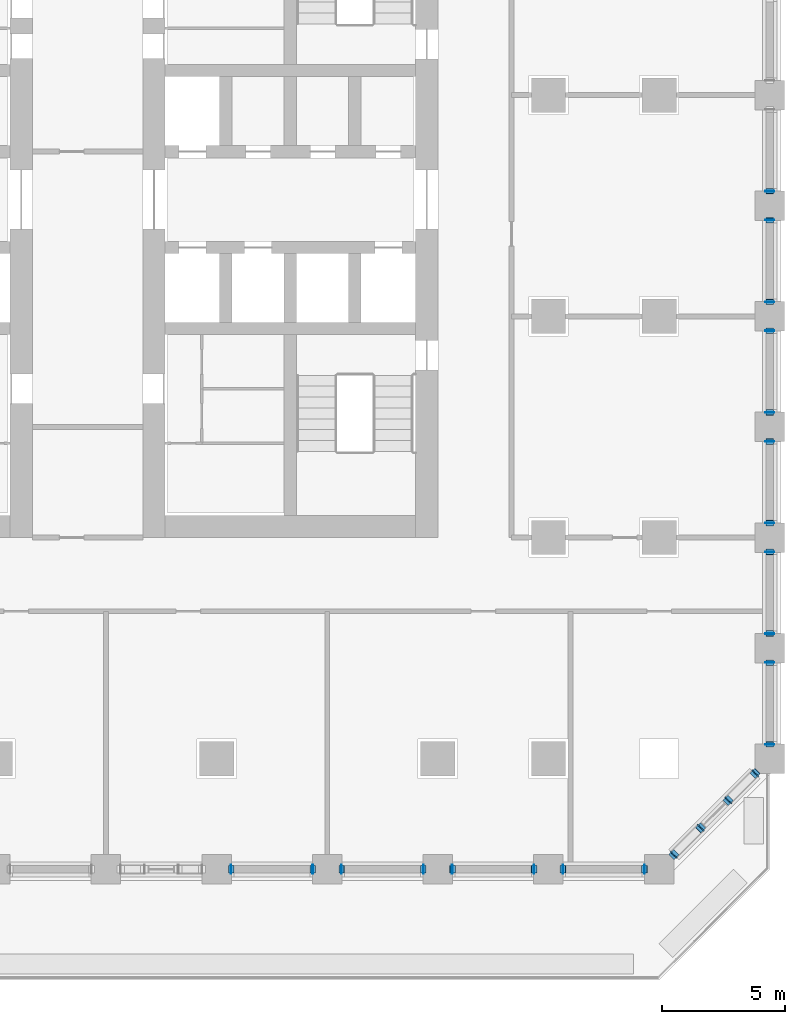
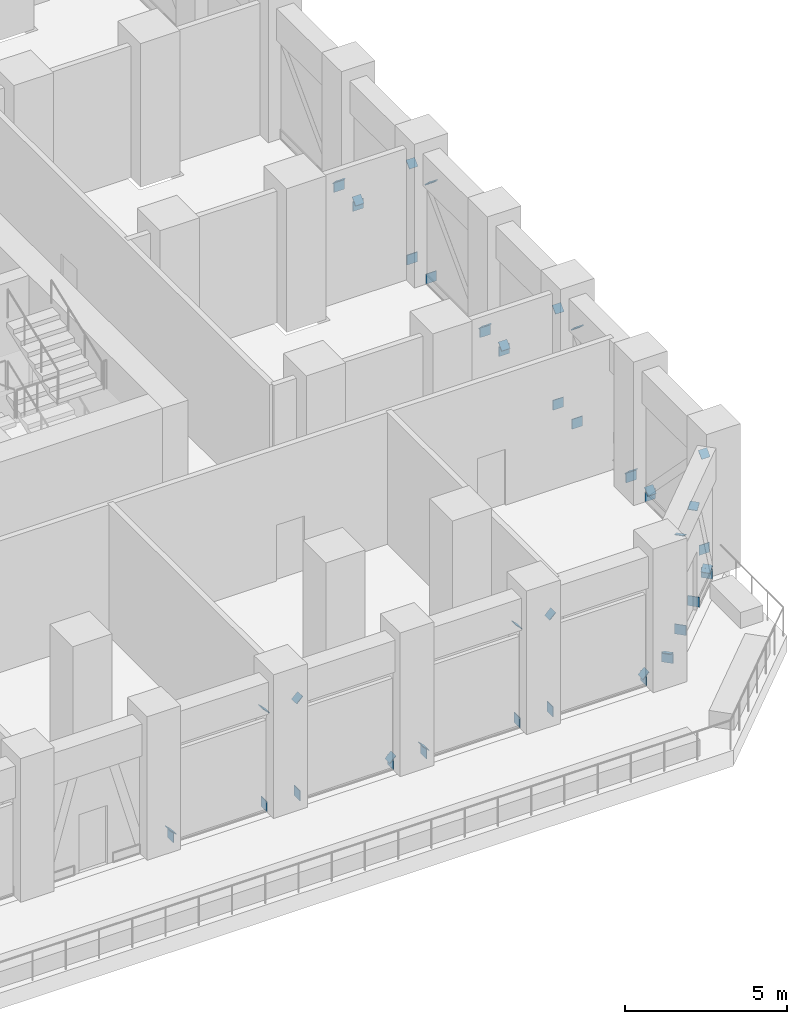
# One storey, part 10 of 20: 46 discrete accessories.
"""IFC4 building model written with IfcOpenShell, lengths in metres."""

import ifcopenshell
import ifcopenshell.guid

model = None  # the IFC model being written
_history = None  # IfcOwnerHistory: only IFC2X3 demands one
_inside = {}  # id of a spatial element -> (the spatial element, [elements in it])
_under = {}  # id of a project, library or spatial element -> (it, [spatial elements below it])
_declared = {}  # id of a project -> (the project, [libraries it declares])
_typed = {}  # id of a type object -> (the type object, [elements of that type])
_made_of = {}  # id of a material, layer set ... -> (it, [elements and type objects made of it])


def new_model(schema):
    """Start an empty IFC model of exactly this schema.

    Asked for "IFC4X3", IfcOpenShell would pick the latest addendum, in which some entities
    have other attributes; the version numbers below select the first issue.
    IFC2X3 requires an IfcOwnerHistory on every rooted entity: one is made here for all.
    """
    global model, _history
    if schema == "IFC4X3":
        model = ifcopenshell.file(schema_version=(4, 3, 0, 0))
    else:
        model = ifcopenshell.file(schema=schema)
    _inside.clear()
    _under.clear()
    _declared.clear()
    _typed.clear()
    _made_of.clear()
    _history = None
    if model.schema == "IFC2X3":
        org = make("IfcOrganization", Name="unknown")
        user = make(
            "IfcPersonAndOrganization",
            ThePerson=make("IfcPerson", FamilyName="unknown"),
            TheOrganization=org,
        )
        app = make(
            "IfcApplication",
            ApplicationDeveloper=org,
            Version="unknown",
            ApplicationFullName="unknown",
            ApplicationIdentifier="unknown",
        )
        _history = make(
            "IfcOwnerHistory",
            OwningUser=user,
            OwningApplication=app,
            ChangeAction="ADDED",
            CreationDate=0,
        )
    return model


def make(cls, **values):
    """One entity of the class cls with the attributes given. An attribute that is None is left unset."""
    return model.create_entity(
        cls, **{name: value for name, value in values.items() if value is not None}
    )


def rooted(cls, **values):
    """An entity with a GlobalId (a new one), such as an element, a storey or a relation."""
    return make(cls, GlobalId=ifcopenshell.guid.new(), OwnerHistory=_history, **values)


def si_unit(unit_type, name, prefix=None):
    """IfcSIUnit, for example si_unit("LENGTHUNIT", "METRE", prefix="MILLI")."""
    return make("IfcSIUnit", UnitType=unit_type, Prefix=prefix, Name=name)


def assignment(units):
    """IfcUnitAssignment: the units of a project."""
    return None if units is None else make("IfcUnitAssignment", Units=units)


def point(xyz):
    """IfcCartesianPoint."""
    return None if xyz is None else make("IfcCartesianPoint", Coordinates=xyz)


def direction(xyz):
    """IfcDirection."""
    return None if xyz is None else make("IfcDirection", DirectionRatios=xyz)


def frame(location, z_axis=None, x_axis=None):
    """IfcAxis2Placement3D, a coordinate frame: its origin and axes. An axis left out is left unset."""
    return make(
        "IfcAxis2Placement3D",
        Location=point(location),
        Axis=direction(z_axis),
        RefDirection=direction(x_axis),
    )


def frame_2d(location, x_axis=None):
    """IfcAxis2Placement2D, a coordinate frame in the plane: its origin and x axis."""
    return make(
        "IfcAxis2Placement2D", Location=point(location), RefDirection=direction(x_axis)
    )


def origin():
    """The frame at (0, 0, 0) with its axes left unset."""
    return frame((0.0, 0.0, 0.0))


def origin_2d():
    """The frame at (0, 0) in the plane with its x axis left unset."""
    return frame_2d((0.0, 0.0))


def place(relative_to, where):
    """IfcLocalPlacement: puts the frame where relative to a parent placement (None: the world)."""
    return make(
        "IfcLocalPlacement", PlacementRelTo=relative_to, RelativePlacement=where
    )


def context(
    kind, dimensions, precision=None, world=None, true_north=None, identifier=None
):
    """IfcGeometricRepresentationContext, for example the 3D "Model" context."""
    return make(
        "IfcGeometricRepresentationContext",
        ContextIdentifier=identifier,
        ContextType=kind,
        CoordinateSpaceDimension=dimensions,
        Precision=precision,
        WorldCoordinateSystem=world,
        TrueNorth=true_north,
    )


def subcontext(parent, identifier, kind, view, scale=None):
    """IfcGeometricRepresentationSubContext, for example "Body" below "Model"."""
    return make(
        "IfcGeometricRepresentationSubContext",
        ContextIdentifier=identifier,
        ContextType=kind,
        ParentContext=parent,
        TargetScale=scale,
        TargetView=view,
    )


def project(units=None, contexts=None):
    """IfcProject with its units and contexts."""
    return rooted(
        "IfcProject",
        Name="project",
        RepresentationContexts=contexts,
        UnitsInContext=assignment(units),
    )


def spatial(cls, under=None, at=None, **own):
    """A site, building, storey or space (cls), placed at a placement, below another one or the project."""
    s = rooted(cls, ObjectPlacement=at, **own)
    if under is not None:
        _under.setdefault(under.id(), (under, []))[1].append(s)
    return s


def profile(cls, at=None, kind="AREA", **sizes):
    """A parametric profile (cls). Its sizes go by their IFC names, for example OverallWidth=200.0."""
    return make(cls, ProfileType=kind, Position=at, **sizes)


def rectangle(**sizes):
    """IfcRectangleProfileDef."""
    return profile("IfcRectangleProfileDef", **sizes)


def extrude(swept, where, along, depth):
    """IfcExtrudedAreaSolid: the profile swept, set in the frame where, extruded along a direction by depth."""
    return make(
        "IfcExtrudedAreaSolid",
        SweptArea=swept,
        Position=where,
        ExtrudedDirection=direction(along),
        Depth=depth,
    )


def shape(context_of_items, identifier, shape_type, items):
    """IfcShapeRepresentation: the items that make up one representation, for example the "Body"."""
    return make(
        "IfcShapeRepresentation",
        ContextOfItems=context_of_items,
        RepresentationIdentifier=identifier,
        RepresentationType=shape_type,
        Items=items,
    )


def material(Name=None, Category=None):
    """IfcMaterial."""
    return make("IfcMaterial", Name=Name, Category=Category)


def material_profile(
    of_material, cross_section, Name=None, Category=None, Priority=None
):
    """IfcMaterialProfile: a cross section and its material."""
    return make(
        "IfcMaterialProfile",
        Name=Name,
        Material=of_material,
        Profile=cross_section,
        Priority=Priority,
        Category=Category,
    )


def profile_set(profiles, Name=None, composite=None):
    """IfcMaterialProfileSet."""
    return make(
        "IfcMaterialProfileSet",
        Name=Name,
        MaterialProfiles=profiles,
        CompositeProfile=composite,
    )


def made_of(thing, what):
    """Note that an element or type object is made of a material, layer set ...; save() writes the relation."""
    if what is not None:
        _made_of.setdefault(what.id(), (what, []))[1].append(thing)
    return thing


def type_object(cls, material=None, **own):
    """A type object (cls), such as IfcWallType, which elements share."""
    return made_of(rooted(cls, **own), material)


def element(
    cls,
    number,
    at=None,
    inside=None,
    cuts=None,
    type_object=None,
    material=None,
    context=None,
    identifier="Body",
    shape_type=None,
    held_by="IfcProductDefinitionShape",
    body=None,
    shapes=None,
    **own,
):
    """One element of the class cls, such as IfcWall. Its Tag is "e" and its number.

    at: its placement. inside: the storey or other place that contains it. cuts: it is an
    opening in that element (IfcRelVoidsElement). A single representation is given by context,
    identifier, shape_type and body (its items); several are given by shapes. held_by: the class
    of the entity that holds the representations. save() writes the other relations.
    """
    e = rooted(cls, Tag="e%d" % number, ObjectPlacement=at, **own)
    if body is not None:
        shapes = [shape(context, identifier, shape_type, body)]
    if shapes is not None:
        e.Representation = make(held_by, Representations=shapes)
    if inside is not None:
        _inside.setdefault(inside.id(), (inside, []))[1].append(e)
    if cuts is not None:
        rooted(
            "IfcRelVoidsElement", RelatingBuildingElement=cuts, RelatedOpeningElement=e
        )
    if type_object is not None:
        _typed.setdefault(type_object.id(), (type_object, []))[1].append(e)
    return made_of(e, material)


def aggregate(whole, parts):
    """IfcRelAggregates: a whole, such as a stair, and the parts it consists of."""
    return rooted("IfcRelAggregates", RelatingObject=whole, RelatedObjects=parts)


def save(model, path):
    """Write the relations noted so far, then the file.

    IfcRelAggregates (storeys below a building ...), IfcRelContainedInSpatialStructure (elements
    in a storey), IfcRelDefinesByType, IfcRelAssociatesMaterial and IfcRelDeclares: one each for
    every whole, place, type object, material and project.
    """
    for whole, parts in _under.values():
        aggregate(whole, parts)
    for where, things in _inside.values():
        rooted(
            "IfcRelContainedInSpatialStructure",
            RelatedElements=things,
            RelatingStructure=where,
        )
    for kind, things in _typed.values():
        rooted("IfcRelDefinesByType", RelatedObjects=things, RelatingType=kind)
    for what, things in _made_of.values():
        rooted("IfcRelAssociatesMaterial", RelatedObjects=things, RelatingMaterial=what)
    for by, libraries in _declared.values():
        rooted("IfcRelDeclares", RelatingContext=by, RelatedDefinitions=libraries)
    model.write(path)


model = new_model("IFC4")

# Units and contexts
model_context = context("Model", 3, precision=1e-05, world=origin(), true_north=direction((0.0, 1.0)))
body_context = subcontext(model_context, "Body", "Model", "MODEL_VIEW")
ifc_project = project(units=[si_unit("LENGTHUNIT", "METRE"), si_unit("AREAUNIT", "SQUARE_METRE"), si_unit("VOLUMEUNIT", "CUBIC_METRE"), si_unit("PLANEANGLEUNIT", "RADIAN"), si_unit("MASSUNIT", "GRAM", prefix="KILO")], contexts=[model_context])

# Site, building, storey
site_placement = place(None, origin())
site = spatial("IfcSite", under=ifc_project, at=site_placement, CompositionType="ELEMENT")
building_placement = place(site_placement, origin())
building = spatial("IfcBuilding", under=site, at=building_placement, Name="Corbel Stack Research Tower", CompositionType="ELEMENT")
storey_placement = place(building_placement, frame((0.0, 0.0, 76.60009765625)))
storey = spatial("IfcBuildingStorey", under=building, at=storey_placement, Name="L17", CompositionType="ELEMENT", Elevation=76.60009765625)

# Discrete accessories
ifc_material_1 = material(Name="Steel S355", Category="steel")
ifc_material_profile_1 = material_profile(ifc_material_1, rectangle(XDim=0.304931640625, YDim=0.304931640625, at=origin_2d()), Name="End plate 305x305x25")
ifc_profile_set_1 = profile_set([ifc_material_profile_1], Name="Steel S355")
discrete_accessory_type_1 = type_object("IfcDiscreteAccessoryType", Name="End plate 305x305x25", PredefinedType="ANCHORPLATE", material=ifc_profile_set_1)
for number, where, z_axis, x_axis, name in (
    (1, (9.60009765625, -22.5, 0.371826171875), (-0.702213483406, 0.0, -0.711966448453), (0.0, -1.0, 0.0), "Belt truss end plate L17-07d1"),
    (2, (12.89990234375, -22.5, 3.75), (0.702213483406, 0.0, 0.711966448453), (0.0, 1.0, 0.0), "Belt truss end plate L17-07d2"),
    (3, (17.39990234375, -22.5, 0.371826171875), (0.702213483406, 0.0, -0.711966448453), (0.0, 1.0, 0.0), "Belt truss end plate L17-08d1"),
    (4, (14.10009765625, -22.5, 3.75), (-0.702213483406, 0.0, 0.711966448453), (0.0, -1.0, 0.0), "Belt truss end plate L17-08d2"),
    (5, (18.60009765625, -22.5, 0.371826171875), (-0.702213483406, 0.0, -0.711966448453), (0.0, -1.0, 0.0), "Belt truss end plate L17-09d1"),
    (6, (21.89990234375, -22.5, 3.75), (0.702213483406, 0.0, 0.711966448453), (0.0, 1.0, 0.0), "Belt truss end plate L17-09d2"),
    (7, (26.39990234375, -22.5, 0.371826171875), (0.702213483406, 0.0, -0.711966448453), (0.0, 1.0, 0.0), "Belt truss end plate L17-10d1"),
    (8, (23.10009765625, -22.5, 3.75), (-0.702213483406, 0.0, 0.711966448453), (0.0, -1.0, 0.0), "Belt truss end plate L17-10d2"),
):
    element("IfcDiscreteAccessory", number, at=place(storey_placement, frame(where, z_axis=z_axis, x_axis=x_axis)), inside=storey, type_object=discrete_accessory_type_1, Name=name, PredefinedType="ANCHORPLATE", context=body_context, shape_type="SweptSolid", body=[
        extrude(rectangle(XDim=0.304931640625, YDim=0.304931640625, at=origin_2d()), origin(), (0.0, 0.0, 1.0), 0.025146484375),
    ])
for number, where, z_axis, x_axis, name in (
    (9, (27.60009765625, -21.89990234375, 0.371826171875), (-0.293483635442, -0.293483635442, -0.90979926987), (0.707106781187, -0.707106781187, 0.0), "Belt truss end plate L17-11ad1"),
    (10, (28.684326171875, -20.815673828125, 3.75), (0.293483635442, 0.293483635442, 0.90979926987), (-0.707106781187, 0.707106781187, 0.0), "Belt truss end plate L17-11ad2"),
    (11, (30.89990234375, -18.60009765625, 0.371826171875), (0.293483635442, 0.293483635442, -0.90979926987), (-0.707106781187, 0.707106781187, 0.0), "Belt truss end plate L17-11bd1"),
    (12, (29.815673828125, -19.684326171875, 3.75), (-0.293483635442, -0.293483635442, 0.90979926987), (0.707106781187, -0.707106781187, 0.0), "Belt truss end plate L17-11bd2"),
):
    element("IfcDiscreteAccessory", number, at=place(storey_placement, frame(where, z_axis=z_axis, x_axis=x_axis)), inside=storey, type_object=discrete_accessory_type_1, Name=name, PredefinedType="ANCHORPLATE", context=body_context, shape_type="SweptSolid", body=[
        extrude(rectangle(XDim=0.304931640625, YDim=0.304931640625, at=origin_2d()), origin(), (0.0, 0.0, 1.0), 0.02490234375),
    ])
for number, where, z_axis, x_axis, name in (
    (13, (31.5, -14.10009765625, 0.371826171875), (0.0, 0.702213483406, -0.711966448453), (-1.0, 0.0, 0.0), "Belt truss end plate L17-12d1"),
    (14, (31.5, -17.39990234375, 3.75), (0.0, -0.702213483406, 0.711966448453), (1.0, 0.0, 0.0), "Belt truss end plate L17-12d2"),
    (15, (31.5, -12.89990234375, 0.371826171875), (0.0, -0.702213483406, -0.711966448453), (1.0, 0.0, 0.0), "Belt truss end plate L17-13d1"),
    (16, (31.5, -9.60009765625, 3.75), (0.0, 0.702213483406, 0.711966448453), (-1.0, 0.0, 0.0), "Belt truss end plate L17-13d2"),
    (17, (31.5, -5.10009765625, 0.371826171875), (0.0, 0.702213483406, -0.711966448453), (-1.0, 0.0, 0.0), "Belt truss end plate L17-14d1"),
    (18, (31.5, -8.39990234375, 3.75), (0.0, -0.702213483406, 0.711966448453), (1.0, 0.0, 0.0), "Belt truss end plate L17-14d2"),
    (19, (31.5, -3.89990234375, 0.371826171875), (0.0, -0.702213483406, -0.711966448453), (1.0, 0.0, 0.0), "Belt truss end plate L17-15d1"),
    (20, (31.5, -0.60009765625, 3.75), (0.0, 0.702213483406, 0.711966448453), (-1.0, 0.0, 0.0), "Belt truss end plate L17-15d2"),
    (21, (31.5, 3.89990234375, 0.371826171875), (0.0, 0.702213483406, -0.711966448453), (-1.0, 0.0, 0.0), "Belt truss end plate L17-16d1"),
    (22, (31.5, 0.60009765625, 3.75), (0.0, -0.702213483406, 0.711966448453), (1.0, 0.0, 0.0), "Belt truss end plate L17-16d2"),
    (23, (31.5, 5.10009765625, 0.371826171875), (0.0, -0.702213483406, -0.711966448453), (1.0, 0.0, 0.0), "Belt truss end plate L17-17d1"),
):
    element("IfcDiscreteAccessory", number, at=place(storey_placement, frame(where, z_axis=z_axis, x_axis=x_axis)), inside=storey, type_object=discrete_accessory_type_1, Name=name, PredefinedType="ANCHORPLATE", context=body_context, shape_type="SweptSolid", body=[
        extrude(rectangle(XDim=0.304931640625, YDim=0.304931640625, at=origin_2d()), origin(), (0.0, 0.0, 1.0), 0.025146484375),
    ])
ifc_material_2 = material(Name="Steel S355", Category="steel")
ifc_material_profile_2 = material_profile(ifc_material_2, rectangle(XDim=0.3740234375, YDim=0.3720703125, at=origin_2d()), Name="End plate 374x372x25")
ifc_profile_set_2 = profile_set([ifc_material_profile_2], Name="Steel S355")
discrete_accessory_type_2 = type_object("IfcDiscreteAccessoryType", Name="End plate 374x372x25", PredefinedType="ANCHORPLATE", material=ifc_profile_set_2)
for number, where, z_axis, x_axis, name in (
    (24, (9.60009765625, -22.5, 0.185791015625), (-1.0, 0.0, 0.0), (0.0, -1.0, 0.0), "Belt truss end plate L17-07c1"),
    (25, (12.89990234375, -22.5, 0.185791015625), (1.0, 0.0, 0.0), (0.0, 1.0, 0.0), "Belt truss end plate L17-07c2"),
    (26, (14.10009765625, -22.5, 0.185791015625), (-1.0, 0.0, 0.0), (0.0, -1.0, 0.0), "Belt truss end plate L17-08c1"),
    (27, (17.39990234375, -22.5, 0.185791015625), (1.0, 0.0, 0.0), (0.0, 1.0, 0.0), "Belt truss end plate L17-08c2"),
    (28, (18.60009765625, -22.5, 0.185791015625), (-1.0, 0.0, 0.0), (0.0, -1.0, 0.0), "Belt truss end plate L17-09c1"),
    (29, (21.89990234375, -22.5, 0.185791015625), (1.0, 0.0, 0.0), (0.0, 1.0, 0.0), "Belt truss end plate L17-09c2"),
    (30, (23.10009765625, -22.5, 0.185791015625), (-1.0, 0.0, 0.0), (0.0, -1.0, 0.0), "Belt truss end plate L17-10c1"),
    (31, (26.39990234375, -22.5, 0.185791015625), (1.0, 0.0, 0.0), (0.0, 1.0, 0.0), "Belt truss end plate L17-10c2"),
    (32, (27.60009765625, -21.89990234375, 0.185791015625), (-0.707106781187, -0.707106781187, 0.0), (0.707106781187, -0.707106781187, 0.0), "Belt truss end plate L17-11ac1"),
):
    element("IfcDiscreteAccessory", number, at=place(storey_placement, frame(where, z_axis=z_axis, x_axis=x_axis)), inside=storey, type_object=discrete_accessory_type_2, Name=name, PredefinedType="ANCHORPLATE", context=body_context, shape_type="SweptSolid", body=[
        extrude(rectangle(XDim=0.3740234375, YDim=0.3720703125, at=origin_2d()), origin(), (0.0, 0.0, 1.0), 0.025146484375),
    ])
for number, where, z_axis, x_axis, name in (
    (33, (28.684326171875, -20.815673828125, 0.185791015625), (0.707106781187, 0.707106781187, 0.0), (-0.707106781187, 0.707106781187, 0.0), "Belt truss end plate L17-11ac2"),
    (34, (29.815673828125, -19.684326171875, 0.185791015625), (-0.707106781187, -0.707106781187, 0.0), (0.707106781187, -0.707106781187, 0.0), "Belt truss end plate L17-11bc1"),
):
    element("IfcDiscreteAccessory", number, at=place(storey_placement, frame(where, z_axis=z_axis, x_axis=x_axis)), inside=storey, type_object=discrete_accessory_type_2, Name=name, PredefinedType="ANCHORPLATE", context=body_context, shape_type="SweptSolid", body=[
        extrude(rectangle(XDim=0.3740234375, YDim=0.3720703125, at=origin_2d()), origin(), (0.0, 0.0, 1.0), 0.02490234375),
    ])
for number, where, z_axis, x_axis, name in (
    (35, (30.89990234375, -18.60009765625, 0.185791015625), (0.707106781187, 0.707106781187, 0.0), (-0.707106781187, 0.707106781187, 0.0), "Belt truss end plate L17-11bc2"),
    (36, (31.5, -17.39990234375, 0.185791015625), (0.0, -1.0, 0.0), (1.0, 0.0, 0.0), "Belt truss end plate L17-12c1"),
    (37, (31.5, -14.10009765625, 0.185791015625), (0.0, 1.0, 0.0), (-1.0, 0.0, 0.0), "Belt truss end plate L17-12c2"),
    (38, (31.5, -12.89990234375, 0.185791015625), (0.0, -1.0, 0.0), (1.0, 0.0, 0.0), "Belt truss end plate L17-13c1"),
    (39, (31.5, -9.60009765625, 0.185791015625), (0.0, 1.0, 0.0), (-1.0, 0.0, 0.0), "Belt truss end plate L17-13c2"),
    (40, (31.5, -8.39990234375, 0.185791015625), (0.0, -1.0, 0.0), (1.0, 0.0, 0.0), "Belt truss end plate L17-14c1"),
    (41, (31.5, -5.10009765625, 0.185791015625), (0.0, 1.0, 0.0), (-1.0, 0.0, 0.0), "Belt truss end plate L17-14c2"),
    (42, (31.5, -3.89990234375, 0.185791015625), (0.0, -1.0, 0.0), (1.0, 0.0, 0.0), "Belt truss end plate L17-15c1"),
    (43, (31.5, -0.60009765625, 0.185791015625), (0.0, 1.0, 0.0), (-1.0, 0.0, 0.0), "Belt truss end plate L17-15c2"),
    (44, (31.5, 0.60009765625, 0.185791015625), (0.0, -1.0, 0.0), (1.0, 0.0, 0.0), "Belt truss end plate L17-16c1"),
    (45, (31.5, 3.89990234375, 0.185791015625), (0.0, 1.0, 0.0), (-1.0, 0.0, 0.0), "Belt truss end plate L17-16c2"),
    (46, (31.5, 5.10009765625, 0.185791015625), (0.0, -1.0, 0.0), (1.0, 0.0, 0.0), "Belt truss end plate L17-17c1"),
):
    element("IfcDiscreteAccessory", number, at=place(storey_placement, frame(where, z_axis=z_axis, x_axis=x_axis)), inside=storey, type_object=discrete_accessory_type_2, Name=name, PredefinedType="ANCHORPLATE", context=body_context, shape_type="SweptSolid", body=[
        extrude(rectangle(XDim=0.3740234375, YDim=0.3720703125, at=origin_2d()), origin(), (0.0, 0.0, 1.0), 0.025146484375),
    ])

save(model, "model.ifc")
